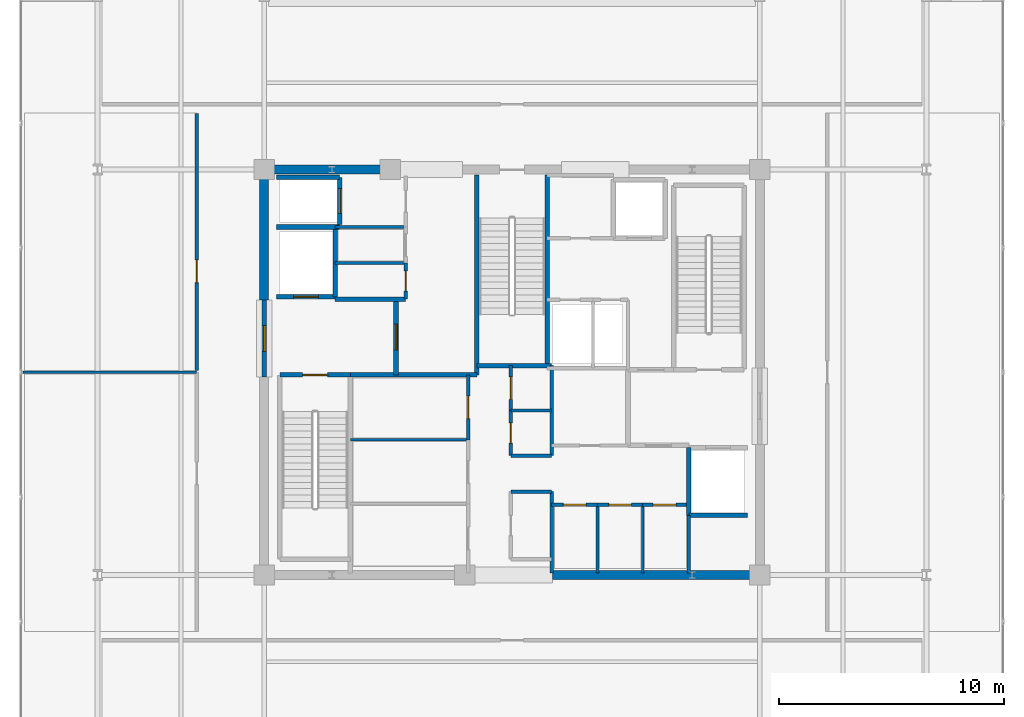
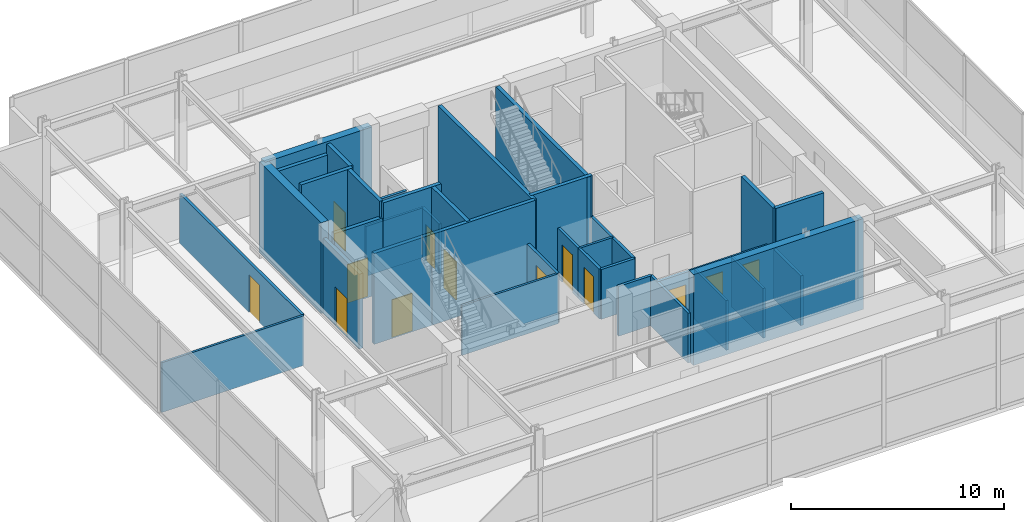
# One storey, part 18 of 24: 38 walls, 13 doors, 13 openings.
"""IFC4 building model written with IfcOpenShell, lengths in metres."""

from ifc_helpers import new_model, si_unit, direction, frame, frame_2d, origin, place, context, subcontext, project, spatial, rectangle, extrude, material, layer, layer_set, type_object, element, fill, save


model = new_model("IFC4")

# Units and contexts
model_context = context("Model", 3, precision=1e-05, world=origin(), true_north=direction((0.0, 1.0)))
body_context = subcontext(model_context, "Body", "Model", "MODEL_VIEW")
ifc_project = project(units=[si_unit("LENGTHUNIT", "METRE"), si_unit("AREAUNIT", "SQUARE_METRE"), si_unit("VOLUMEUNIT", "CUBIC_METRE"), si_unit("PLANEANGLEUNIT", "RADIAN"), si_unit("MASSUNIT", "GRAM", prefix="KILO")], contexts=[model_context])

# Site, building, storey
site_placement = place(None, origin())
site = spatial("IfcSite", under=ifc_project, at=site_placement, CompositionType="ELEMENT")
building_placement = place(site_placement, origin())
building = spatial("IfcBuilding", under=site, at=building_placement, Name="Kovane Verandah Tower", CompositionType="ELEMENT")
storey_placement = place(building_placement, frame((0.0, 0.0, 348.800048828125)))
storey = spatial("IfcBuildingStorey", under=building, at=storey_placement, Name="L81", CompositionType="ELEMENT", Elevation=348.800048828125)

# Walls
ifc_material_1 = material(Name="Fire-Rated Gypsum Stud Partition", Category="gypsum")
ifc_layer_1 = layer(ifc_material_1, 0.14990234375)
ifc_layer_set_1 = layer_set([ifc_layer_1], Name="Fire-Rated Gypsum Stud Partition")
wall_type_1 = type_object("IfcWallType", Name="WL-COR-150", PredefinedType="PARTITIONING", material=ifc_layer_set_1)
for number, where, z_axis, x_axis, name in (
    (1, (39.949951171875, 22.199951171875, 0.0), (0.0, 0.0, 1.0), (1.0, 0.0, 0.0), "L81 Core Cross-Passage South Wall"),
    (2, (39.949951171875, 23.800048828125, 0.0), (0.0, 0.0, 1.0), (1.0, 0.0, 0.0), "L81 Core Cross-Passage North Wall"),
):
    element("IfcWall", number, at=place(storey_placement, frame(where, z_axis=z_axis, x_axis=x_axis)), inside=storey, type_object=wall_type_1, Name=name, PredefinedType="PARTITIONING", context=body_context, shape_type="SweptSolid", body=[
        extrude(rectangle(XDim=1.81005859375, YDim=0.14990234375, at=frame_2d((0.905029296875, 0.0))), origin(), (0.0, 0.0, 1.0), 2.849853515625),
    ])
wall_1_placement = place(storey_placement, frame((41.760009765625, 18.60009765625, 0.0), z_axis=(0.0, 0.0, 1.0), x_axis=(0.0, 1.0, 0.0)))
element("IfcWall", 3, at=wall_1_placement, inside=storey, type_object=wall_type_1, Name="L81 Central Core Strip Lower East Wall", PredefinedType="PARTITIONING", context=body_context, shape_type="SweptSolid", body=[
    extrude(rectangle(XDim=3.599853515625, YDim=0.14990234375, at=frame_2d((1.7998046875, 0.0))), origin(), (0.0, 0.0, 1.0), 2.849853515625),
])
wall_2_placement = place(storey_placement, frame((41.760009765625, 23.800048828125, 0.0), z_axis=(0.0, 0.0, 1.0), x_axis=(0.0, 1.0, 0.0)))
element("IfcWall", 4, at=wall_2_placement, inside=storey, type_object=wall_type_1, Name="L81 Central Core Strip Upper East Wall", PredefinedType="PARTITIONING", context=body_context, shape_type="SweptSolid", body=[
    extrude(rectangle(XDim=4.0, YDim=0.14990234375, at=frame_2d((2.0, 0.0))), origin(), (0.0, 0.0, 1.0), 2.849853515625),
])

# Wall, opening, door
wall_3_placement = place(storey_placement, frame((39.949951171875, 23.800048828125, 0.0), z_axis=(0.0, 0.0, 1.0), x_axis=(0.0, 1.0, 0.0)))
wall_3 = element("IfcWall", 5, at=wall_3_placement, inside=storey, type_object=wall_type_1, Name="L81 Female Toilet Partition", PredefinedType="PARTITIONING", context=body_context, shape_type="SweptSolid", body=[
    extrude(rectangle(XDim=2.0, YDim=0.14990234375, at=frame_2d((1.0, 0.0))), origin(), (0.0, 0.0, 1.0), 2.849853515625),
])
opening_1_placement = place(wall_3_placement, frame((0.550048828125, 0.0, 0.0)))
opening_1 = element("IfcOpeningElement", 6, at=opening_1_placement, cuts=wall_3, Name="Opening DR-L81-028", PredefinedType="OPENING", context=body_context, shape_type="SweptSolid", body=[
    extrude(rectangle(XDim=0.89990234375, YDim=2.10009765625, at=frame_2d((0.449951171875, 1.050048828125))), frame((0.0, 0.074951171875, 0.0), z_axis=(0.0, -1.0, 0.0), x_axis=(1.0, 0.0, 0.0)), (0.0, 0.0, 1.0), 0.14990234375),
])
ifc_material_2 = material(Name="Moisture-Resistant Laminate Washroom Door", Category="wood")
door_type_1 = type_object("IfcDoorType", Name="DR-WC-900", OperationType="SINGLE_SWING_LEFT", PredefinedType="DOOR", material=ifc_material_2)
door_1_placement = place(opening_1_placement, origin())
door_1 = element("IfcDoor", 7, at=door_1_placement, inside=storey, type_object=door_type_1, Name="L81 Female Toilet Door", OperationType="SINGLE_SWING_RIGHT", OverallHeight=2.10009765625, OverallWidth=0.89990234375, PredefinedType="DOOR", context=body_context, shape_type="SweptSolid", body=[
    extrude(rectangle(XDim=0.89990234375, YDim=2.10009765625, at=frame_2d((0.449951171875, 1.050048828125))), frame((0.0, 0.02490234375, 0.0), z_axis=(0.0, -1.0, 0.0), x_axis=(1.0, 0.0, 0.0)), (0.0, 0.0, 1.0), 0.050048828125),
])
fill(opening_1, door_1)

wall_4_placement = place(storey_placement, frame((39.949951171875, 25.800048828125, 0.0), z_axis=(0.0, 0.0, 1.0), x_axis=(0.0, 1.0, 0.0)))
wall_4 = element("IfcWall", 8, at=wall_4_placement, inside=storey, type_object=wall_type_1, Name="L81 Central First Aid and Wellness Room Partition", PredefinedType="PARTITIONING", context=body_context, shape_type="SweptSolid", body=[
    extrude(rectangle(XDim=2.0, YDim=0.14990234375, at=frame_2d((1.0, 0.0))), origin(), (0.0, 0.0, 1.0), 2.849853515625),
])
opening_2_placement = place(wall_4_placement, frame((0.5, 0.0, 0.0)))
opening_2 = element("IfcOpeningElement", 9, at=opening_2_placement, cuts=wall_4, Name="Opening DR-L81-026", PredefinedType="OPENING", context=body_context, shape_type="SweptSolid", body=[
    extrude(rectangle(XDim=1.0, YDim=2.14990234375, at=frame_2d((0.5, 1.074951171875))), frame((0.0, 0.074951171875, 0.0), z_axis=(0.0, -1.0, 0.0), x_axis=(1.0, 0.0, 0.0)), (0.0, 0.0, 1.0), 0.14990234375),
])
ifc_material_3 = material(Name="FSC Spotted-Gum Timber Fire-Rated Office Door", Category="wood")
door_type_2 = type_object("IfcDoorType", Name="DR-OFF-1000", OperationType="SINGLE_SWING_LEFT", PredefinedType="DOOR", material=ifc_material_3)
door_2_placement = place(opening_2_placement, origin())
door_2 = element("IfcDoor", 10, at=door_2_placement, inside=storey, type_object=door_type_2, Name="L81 Central First Aid and Wellness Room Door", OperationType="SINGLE_SWING_LEFT", OverallHeight=2.14990234375, OverallWidth=1.0, PredefinedType="DOOR", context=body_context, shape_type="SweptSolid", body=[
    extrude(rectangle(XDim=1.0, YDim=2.14990234375, at=frame_2d((0.5, 1.074951171875))), frame((0.0, 0.02490234375, 0.0), z_axis=(0.0, -1.0, 0.0), x_axis=(1.0, 0.0, 0.0)), (0.0, 0.0, 1.0), 0.050048828125),
])
fill(opening_2, door_2)

# Wall
wall_5_placement = place(storey_placement, frame((32.14990234375, 33.949951171875, 0.0), z_axis=(0.0, 0.0, 1.0), x_axis=(1.0, 0.0, 0.0)))
element("IfcWall", 11, at=wall_5_placement, inside=storey, type_object=wall_type_1, Name="L81 Goods Lift Lobby South Wall", PredefinedType="PARTITIONING", context=body_context, shape_type="SweptSolid", body=[
    extrude(rectangle(XDim=3.130126953125, YDim=0.14990234375, at=frame_2d((1.56494140625, 0.0))), origin(), (0.0, 0.0, 1.0), 2.849853515625),
])

# Wall, opening, door
wall_6_placement = place(storey_placement, frame((35.280029296875, 30.75, 0.0), z_axis=(0.0, 0.0, 1.0), x_axis=(0.0, 1.0, 0.0)))
wall_6 = element("IfcWall", 12, at=wall_6_placement, inside=storey, type_object=wall_type_1, Name="L81 Accessible Unisex Toilet Partition", PredefinedType="PARTITIONING", context=body_context, shape_type="SweptSolid", body=[
    extrude(rectangle(XDim=1.60009765625, YDim=0.14990234375, at=frame_2d((0.800048828125, 0.0))), origin(), (0.0, 0.0, 1.0), 2.849853515625),
])
opening_3_placement = place(wall_6_placement, frame((0.35009765625, 0.0, 0.0)))
opening_3 = element("IfcOpeningElement", 13, at=opening_3_placement, cuts=wall_6, Name="Opening DR-L81-027", PredefinedType="OPENING", context=body_context, shape_type="SweptSolid", body=[
    extrude(rectangle(XDim=0.89990234375, YDim=2.10009765625, at=frame_2d((0.449951171875, 1.050048828125))), frame((0.0, 0.074951171875, 0.0), z_axis=(0.0, -1.0, 0.0), x_axis=(1.0, 0.0, 0.0)), (0.0, 0.0, 1.0), 0.14990234375),
])
door_3_placement = place(opening_3_placement, origin())
door_3 = element("IfcDoor", 14, at=door_3_placement, inside=storey, type_object=door_type_1, Name="L81 Accessible Unisex Toilet Door", OperationType="SINGLE_SWING_LEFT", OverallHeight=2.10009765625, OverallWidth=0.89990234375, PredefinedType="DOOR", context=body_context, shape_type="SweptSolid", body=[
    extrude(rectangle(XDim=0.89990234375, YDim=2.10009765625, at=frame_2d((0.449951171875, 1.050048828125))), frame((0.0, 0.02490234375, 0.0), z_axis=(0.0, -1.0, 0.0), x_axis=(1.0, 0.0, 0.0)), (0.0, 0.0, 1.0), 0.050048828125),
])
fill(opening_3, door_3)

wall_7_placement = place(storey_placement, frame((38.050048828125, 24.5, 0.0), z_axis=(0.0, 0.0, 1.0), x_axis=(0.0, 1.0, 0.0)))
wall_7 = element("IfcWall", 15, at=wall_7_placement, inside=storey, type_object=wall_type_1, Name="L81 Tea and Copy Hub Partition", PredefinedType="PARTITIONING", context=body_context, shape_type="SweptSolid", body=[
    extrude(rectangle(XDim=2.8798828125, YDim=0.14990234375, at=frame_2d((1.43994140625, 0.0))), origin(), (0.0, 0.0, 1.0), 2.849853515625),
])
opening_4_placement = place(wall_7_placement, frame((0.93994140625, 0.0, 0.0)))
opening_4 = element("IfcOpeningElement", 16, at=opening_4_placement, cuts=wall_7, Name="Opening DR-L81-015", PredefinedType="OPENING", context=body_context, shape_type="SweptSolid", body=[
    extrude(rectangle(XDim=1.0, YDim=2.14990234375, at=frame_2d((0.5, 1.074951171875))), frame((0.0, 0.074951171875, 0.0), z_axis=(0.0, -1.0, 0.0), x_axis=(1.0, 0.0, 0.0)), (0.0, 0.0, 1.0), 0.14990234375),
])
door_4_placement = place(opening_4_placement, origin())
door_4 = element("IfcDoor", 17, at=door_4_placement, inside=storey, type_object=door_type_2, Name="L81 Tea and Copy Hub Door", OperationType="SINGLE_SWING_LEFT", OverallHeight=2.14990234375, OverallWidth=1.0, PredefinedType="DOOR", context=body_context, shape_type="SweptSolid", body=[
    extrude(rectangle(XDim=1.0, YDim=2.14990234375, at=frame_2d((0.5, 1.074951171875))), frame((0.0, 0.02490234375, 0.0), z_axis=(0.0, -1.0, 0.0), x_axis=(1.0, 0.0, 0.0)), (0.0, 0.0, 1.0), 0.050048828125),
])
fill(opening_4, door_4)

# Wall
wall_8_placement = place(storey_placement, frame((47.85009765625, 18.60009765625, 0.0), z_axis=(0.0, 0.0, 1.0), x_axis=(0.0, 1.0, 0.0)))
element("IfcWall", 18, at=wall_8_placement, inside=storey, type_object=wall_type_1, Name="L81 East Core Support East Wall", PredefinedType="PARTITIONING", context=body_context, shape_type="SweptSolid", body=[
    extrude(rectangle(XDim=2.539794921875, YDim=0.14990234375, at=frame_2d((1.27001953125, 0.0))), origin(), (0.0, 0.0, 1.0), 2.849853515625),
])

# Wall, opening, door
wall_9_placement = place(storey_placement, frame((41.760009765625, 21.6201171875, 0.0), z_axis=(0.0, 0.0, 1.0), x_axis=(1.0, 0.0, 0.0)))
wall_9 = element("IfcWall", 19, at=wall_9_placement, inside=storey, type_object=wall_type_1, Name="L81 Mail and Copy Room Partition", PredefinedType="PARTITIONING", context=body_context, shape_type="SweptSolid", body=[
    extrude(rectangle(XDim=2.0400390625, YDim=0.14990234375, at=frame_2d((1.02001953125, 0.0))), origin(), (0.0, 0.0, 1.0), 2.849853515625),
])
opening_5_placement = place(wall_9_placement, frame((0.52001953125, 0.0, 0.0)))
opening_5 = element("IfcOpeningElement", 20, at=opening_5_placement, cuts=wall_9, Name="Opening DR-L81-016", PredefinedType="OPENING", context=body_context, shape_type="SweptSolid", body=[
    extrude(rectangle(XDim=1.0, YDim=2.14990234375, at=frame_2d((0.5, 1.074951171875))), frame((0.0, 0.074951171875, 0.0), z_axis=(0.0, -1.0, 0.0), x_axis=(1.0, 0.0, 0.0)), (0.0, 0.0, 1.0), 0.14990234375),
])
door_5_placement = place(opening_5_placement, origin())
door_5 = element("IfcDoor", 21, at=door_5_placement, inside=storey, type_object=door_type_2, Name="L81 Mail and Copy Room Door", OperationType="SINGLE_SWING_RIGHT", OverallHeight=2.14990234375, OverallWidth=1.0, PredefinedType="DOOR", context=body_context, shape_type="SweptSolid", body=[
    extrude(rectangle(XDim=1.0, YDim=2.14990234375, at=frame_2d((0.5, 1.074951171875))), frame((0.0, 0.02490234375, 0.0), z_axis=(0.0, -1.0, 0.0), x_axis=(1.0, 0.0, 0.0)), (0.0, 0.0, 1.0), 0.050048828125),
])
fill(opening_5, door_5)

wall_10_placement = place(storey_placement, frame((43.800048828125, 21.6201171875, 0.0), z_axis=(0.0, 0.0, 1.0), x_axis=(1.0, 0.0, 0.0)))
wall_10 = element("IfcWall", 22, at=wall_10_placement, inside=storey, type_object=wall_type_1, Name="L81 First Aid Room Partition", PredefinedType="PARTITIONING", context=body_context, shape_type="SweptSolid", body=[
    extrude(rectangle(XDim=2.0, YDim=0.14990234375, at=frame_2d((1.0, 0.0))), origin(), (0.0, 0.0, 1.0), 2.849853515625),
])
opening_6_placement = place(wall_10_placement, frame((0.5, 0.0, 0.0)))
opening_6 = element("IfcOpeningElement", 23, at=opening_6_placement, cuts=wall_10, Name="Opening DR-L81-017", PredefinedType="OPENING", context=body_context, shape_type="SweptSolid", body=[
    extrude(rectangle(XDim=1.0, YDim=2.14990234375, at=frame_2d((0.5, 1.074951171875))), frame((0.0, 0.074951171875, 0.0), z_axis=(0.0, -1.0, 0.0), x_axis=(1.0, 0.0, 0.0)), (0.0, 0.0, 1.0), 0.14990234375),
])
door_6_placement = place(opening_6_placement, origin())
door_6 = element("IfcDoor", 24, at=door_6_placement, inside=storey, type_object=door_type_2, Name="L81 First Aid Room Door", OperationType="SINGLE_SWING_LEFT", OverallHeight=2.14990234375, OverallWidth=1.0, PredefinedType="DOOR", context=body_context, shape_type="SweptSolid", body=[
    extrude(rectangle(XDim=1.0, YDim=2.14990234375, at=frame_2d((0.5, 1.074951171875))), frame((0.0, 0.02490234375, 0.0), z_axis=(0.0, -1.0, 0.0), x_axis=(1.0, 0.0, 0.0)), (0.0, 0.0, 1.0), 0.050048828125),
])
fill(opening_6, door_6)

wall_11_placement = place(storey_placement, frame((45.800048828125, 21.6201171875, 0.0), z_axis=(0.0, 0.0, 1.0), x_axis=(1.0, 0.0, 0.0)))
wall_11 = element("IfcWall", 25, at=wall_11_placement, inside=storey, type_object=wall_type_1, Name="L81 Quiet Wellness Room Partition", PredefinedType="PARTITIONING", context=body_context, shape_type="SweptSolid", body=[
    extrude(rectangle(XDim=1.93994140625, YDim=0.14990234375, at=frame_2d((0.969970703125, 0.0))), origin(), (0.0, 0.0, 1.0), 2.849853515625),
])
opening_7_placement = place(wall_11_placement, frame((0.469970703125, 0.0, 0.0)))
opening_7 = element("IfcOpeningElement", 26, at=opening_7_placement, cuts=wall_11, Name="Opening DR-L81-018", PredefinedType="OPENING", context=body_context, shape_type="SweptSolid", body=[
    extrude(rectangle(XDim=1.0, YDim=2.14990234375, at=frame_2d((0.5, 1.074951171875))), frame((0.0, 0.074951171875, 0.0), z_axis=(0.0, -1.0, 0.0), x_axis=(1.0, 0.0, 0.0)), (0.0, 0.0, 1.0), 0.14990234375),
])
door_7_placement = place(opening_7_placement, origin())
door_7 = element("IfcDoor", 27, at=door_7_placement, inside=storey, type_object=door_type_2, Name="L81 Quiet Wellness Room Door", OperationType="SINGLE_SWING_RIGHT", OverallHeight=2.14990234375, OverallWidth=1.0, PredefinedType="DOOR", context=body_context, shape_type="SweptSolid", body=[
    extrude(rectangle(XDim=1.0, YDim=2.14990234375, at=frame_2d((0.5, 1.074951171875))), frame((0.0, 0.02490234375, 0.0), z_axis=(0.0, -1.0, 0.0), x_axis=(1.0, 0.0, 0.0)), (0.0, 0.0, 1.0), 0.050048828125),
])
fill(opening_7, door_7)

wall_12_placement = place(storey_placement, frame((26.0, 27.570068359375, 0.0), z_axis=(0.0, 0.0, 1.0), x_axis=(0.0, 1.0, 0.0)))
wall_12 = element("IfcWall", 28, at=wall_12_placement, inside=storey, type_object=wall_type_1, Name="L81 Skyline Exhibition Gallery Corridor Partition", PredefinedType="PARTITIONING", context=body_context, shape_type="SweptSolid", body=[
    extrude(rectangle(XDim=11.429931640625, YDim=0.14990234375, at=frame_2d((5.71484375, 0.0))), origin(), (0.0, 0.0, 1.0), 2.849853515625),
])
opening_8_placement = place(wall_12_placement, frame((3.9150390625, 0.0, 0.0)))
opening_8 = element("IfcOpeningElement", 29, at=opening_8_placement, cuts=wall_12, Name="Opening DR-L81-012", PredefinedType="OPENING", context=body_context, shape_type="SweptSolid", body=[
    extrude(rectangle(XDim=1.0, YDim=2.14990234375, at=frame_2d((0.5, 1.074951171875))), frame((0.0, 0.074951171875, 0.0), z_axis=(0.0, -1.0, 0.0), x_axis=(1.0, 0.0, 0.0)), (0.0, 0.0, 1.0), 0.14990234375),
])
door_8_placement = place(opening_8_placement, origin())
door_8 = element("IfcDoor", 30, at=door_8_placement, inside=storey, type_object=door_type_2, Name="L81 Skyline Exhibition Gallery Entrance Door", OperationType="SINGLE_SWING_RIGHT", OverallHeight=2.14990234375, OverallWidth=1.0, PredefinedType="DOOR", context=body_context, shape_type="SweptSolid", body=[
    extrude(rectangle(XDim=1.0, YDim=2.14990234375, at=frame_2d((0.5, 1.074951171875))), frame((0.0, 0.02490234375, 0.0), z_axis=(0.0, -1.0, 0.0), x_axis=(1.0, 0.0, 0.0)), (0.0, 0.0, 1.0), 0.050048828125),
])
fill(opening_8, door_8)

# Walls
ifc_material_4 = material(Name="Concrete C60/75", Category="concrete")
ifc_layer_2 = layer(ifc_material_4, 0.39990234375)
ifc_layer_set_2 = layer_set([ifc_layer_2], Name="Concrete C60/75")
wall_type_2 = type_object("IfcWallType", Name="WL-CORE-400", PredefinedType="SHEAR", material=ifc_layer_set_2)
wall_13_placement = place(storey_placement, frame((41.800048828125, 18.5, 0.0), z_axis=(0.0, 0.0, 1.0), x_axis=(1.0, 0.0, 0.0)))
element("IfcWall", 31, at=wall_13_placement, inside=storey, type_object=wall_type_2, Name="L81 Core Shear Wall CS-2", PredefinedType="SHEAR", context=body_context, shape_type="SweptSolid", body=[
    extrude(rectangle(XDim=9.199951171875, YDim=0.39990234375, at=frame_2d((4.60009765625, 0.0))), origin(), (0.0, 0.0, 1.0), 5.199951171875),
])
for number, where, z_axis, x_axis, name in (
    (32, (29.0, 36.5, 0.0), (0.0, 0.0, 1.0), (1.0, 0.0, 0.0), "L81 Core Shear Wall CN-1"),
    (33, (29.0, 30.699951171875, 0.0), (0.0, 0.0, 1.0), (0.0, 1.0, 0.0), "L81 Core Shear Wall CW-2"),
):
    element("IfcWall", number, at=place(storey_placement, frame(where, z_axis=z_axis, x_axis=x_axis)), inside=storey, type_object=wall_type_2, Name=name, PredefinedType="SHEAR", context=body_context, shape_type="SweptSolid", body=[
        extrude(rectangle(XDim=5.800048828125, YDim=0.39990234375, at=frame_2d((2.89990234375, 0.0))), origin(), (0.0, 0.0, 1.0), 5.199951171875),
    ])

# Wall, opening, door
ifc_material_5 = material(Name="Concrete C45/55 Fire Wall", Category="concrete")
ifc_layer_3 = layer(ifc_material_5, 0.199951171875)
ifc_layer_set_3 = layer_set([ifc_layer_3], Name="Concrete C45/55 Fire Wall")
wall_type_3 = type_object("IfcWallType", Name="WL-FFL-200", PredefinedType="PARTITIONING", material=ifc_layer_set_3)
wall_14_placement = place(storey_placement, frame((34.85009765625, 27.3798828125, 0.0), z_axis=(0.0, 0.0, 1.0), x_axis=(0.0, 1.0, 0.0)))
wall_14 = element("IfcWall", 34, at=wall_14_placement, inside=storey, type_object=wall_type_3, Name="W-L81-FFLW-E", PredefinedType="PARTITIONING", context=body_context, shape_type="SweptSolid", body=[
    extrude(rectangle(XDim=3.3701171875, YDim=0.199951171875, at=frame_2d((1.68505859375, 0.0))), origin(), (0.0, 0.0, 1.0), 5.199951171875),
])
opening_9_placement = place(wall_14_placement, frame((1.110107421875, 0.0, 0.0)))
opening_9 = element("IfcOpeningElement", 35, at=opening_9_placement, cuts=wall_14, Name="Opening DR-L81-004", PredefinedType="OPENING", context=body_context, shape_type="SweptSolid", body=[
    extrude(rectangle(XDim=1.14990234375, YDim=2.199951171875, at=frame_2d((0.574951171875, 1.10009765625))), frame((0.0, 0.10009765625, 0.0), z_axis=(0.0, -1.0, 0.0), x_axis=(1.0, 0.0, 0.0)), (0.0, 0.0, 1.0), 0.199951171875),
])
ifc_material_6 = material(Name="Smoke-Sealed Firefighting Lobby Door", Category="steel")
door_type_3 = type_object("IfcDoorType", Name="DR-FFL-1150", OperationType="SINGLE_SWING_LEFT", PredefinedType="DOOR", material=ifc_material_6)
door_9_placement = place(opening_9_placement, origin())
door_9 = element("IfcDoor", 36, at=door_9_placement, inside=storey, type_object=door_type_3, Name="L81 West Firefighting Lobby Inner Door", OperationType="SINGLE_SWING_LEFT", OverallHeight=2.199951171875, OverallWidth=1.14990234375, PredefinedType="DOOR", context=body_context, shape_type="SweptSolid", body=[
    extrude(rectangle(XDim=1.14990234375, YDim=2.199951171875, at=frame_2d((0.574951171875, 1.10009765625))), frame((0.0, 0.02490234375, 0.0), z_axis=(0.0, -1.0, 0.0), x_axis=(1.0, 0.0, 0.0)), (0.0, 0.0, 1.0), 0.050048828125),
])
fill(opening_9, door_9)

wall_15_placement = place(storey_placement, frame((29.0, 27.300048828125, 0.0), z_axis=(0.0, 0.0, 1.0), x_axis=(0.0, 1.0, 0.0)))
wall_15 = element("IfcWall", 37, at=wall_15_placement, inside=storey, type_object=wall_type_3, Name="W-L81-FFLW-OUT", PredefinedType="PARTITIONING", context=body_context, shape_type="SweptSolid", body=[
    extrude(rectangle(XDim=3.39990234375, YDim=0.199951171875, at=frame_2d((1.699951171875, 0.0))), origin(), (0.0, 0.0, 1.0), 4.280029296875),
])
opening_10_placement = place(wall_15_placement, frame((1.125, 0.0, 0.0)))
opening_10 = element("IfcOpeningElement", 38, at=opening_10_placement, cuts=wall_15, Name="Opening DR-L81-005", PredefinedType="OPENING", context=body_context, shape_type="SweptSolid", body=[
    extrude(rectangle(XDim=1.14990234375, YDim=2.199951171875, at=frame_2d((0.574951171875, 1.10009765625))), frame((0.0, 0.10009765625, 0.0), z_axis=(0.0, -1.0, 0.0), x_axis=(1.0, 0.0, 0.0)), (0.0, 0.0, 1.0), 0.199951171875),
])
door_10_placement = place(opening_10_placement, origin())
door_10 = element("IfcDoor", 39, at=door_10_placement, inside=storey, type_object=door_type_3, Name="L81 West Firefighting Lobby Corridor Door", OperationType="SINGLE_SWING_RIGHT", OverallHeight=2.199951171875, OverallWidth=1.14990234375, PredefinedType="DOOR", context=body_context, shape_type="SweptSolid", body=[
    extrude(rectangle(XDim=1.14990234375, YDim=2.199951171875, at=frame_2d((0.574951171875, 1.10009765625))), frame((0.0, 0.02490234375, 0.0), z_axis=(0.0, -1.0, 0.0), x_axis=(1.0, 0.0, 0.0)), (0.0, 0.0, 1.0), 0.050048828125),
])
fill(opening_10, door_10)

# Walls
wall_16_placement = place(storey_placement, frame((32.820068359375, 27.3798828125, 0.0), z_axis=(0.0, 0.0, 1.0), x_axis=(1.0, 0.0, 0.0)))
element("IfcWall", 40, at=wall_16_placement, inside=storey, type_object=wall_type_3, Name="L81 West Firefighting Lobby South Fire Wall", PredefinedType="PARTITIONING", context=body_context, shape_type="SweptSolid", body=[
    extrude(rectangle(XDim=5.619873046875, YDim=0.199951171875, at=frame_2d((2.81005859375, 0.0))), origin(), (0.0, 0.0, 1.0), 5.199951171875),
])
wall_17_placement = place(storey_placement, frame((32.14990234375, 30.75, 0.0), z_axis=(0.0, 0.0, 1.0), x_axis=(1.0, 0.0, 0.0)))
element("IfcWall", 41, at=wall_17_placement, inside=storey, type_object=wall_type_3, Name="L81 West Firefighting Lobby North Fire Wall", PredefinedType="PARTITIONING", context=body_context, shape_type="SweptSolid", body=[
    extrude(rectangle(XDim=3.130126953125, YDim=0.199951171875, at=frame_2d((1.56494140625, 0.0))), origin(), (0.0, 0.0, 1.0), 5.199951171875),
])

# Wall, opening, door
ifc_material_7 = material(Name="Concrete C45/55 Lift Shaft Wall", Category="concrete")
ifc_layer_4 = layer(ifc_material_7, 0.199951171875)
ifc_layer_set_4 = layer_set([ifc_layer_4], Name="Concrete C45/55 Lift Shaft Wall")
wall_type_4 = type_object("IfcWallType", Name="WL-LIFT-200", PredefinedType="SOLIDWALL", material=ifc_layer_set_4)
wall_18_placement = place(storey_placement, frame((29.550048828125, 30.85009765625, 0.0), z_axis=(0.0, 0.0, 1.0), x_axis=(1.0, 0.0, 0.0)))
wall_18 = element("IfcWall", 42, at=wall_18_placement, inside=storey, type_object=wall_type_4, Name="L81 Lift FL-01 S Shaft Wall", PredefinedType="SOLIDWALL", context=body_context, shape_type="SweptSolid", body=[
    extrude(rectangle(XDim=2.599853515625, YDim=0.199951171875, at=frame_2d((1.2998046875, 0.0))), origin(), (0.0, 0.0, 1.0), 4.280029296875),
])
opening_11_placement = place(wall_18_placement, frame((0.75, 0.0, 0.0)))
opening_11 = element("IfcOpeningElement", 43, at=opening_11_placement, cuts=wall_18, Name="Opening LD-L81-001", PredefinedType="OPENING", context=body_context, shape_type="SweptSolid", body=[
    extrude(rectangle(XDim=1.10009765625, YDim=2.199951171875, at=frame_2d((0.550048828125, 1.10009765625))), frame((0.0, 0.10009765625, 0.0), z_axis=(0.0, -1.0, 0.0), x_axis=(1.0, 0.0, 0.0)), (0.0, 0.0, 1.0), 0.199951171875),
])
ifc_material_8 = material(Name="Brushed Stainless Steel Sliding Lift Landing Door", Category="steel")
door_type_4 = type_object("IfcDoorType", Name="DR-LIFT-1100", OperationType="SLIDING_TO_RIGHT", PredefinedType="DOOR", material=ifc_material_8)
door_11_placement = place(opening_11_placement, origin())
door_11 = element("IfcDoor", 44, at=door_11_placement, inside=storey, type_object=door_type_4, Name="L81 Lift FL-01 Sliding Landing Door", OperationType="SLIDING_TO_RIGHT", OverallHeight=2.199951171875, OverallWidth=1.10009765625, PredefinedType="DOOR", context=body_context, shape_type="SweptSolid", body=[
    extrude(rectangle(XDim=1.10009765625, YDim=2.199951171875, at=frame_2d((0.550048828125, 1.10009765625))), frame((0.0, 0.02490234375, 0.0), z_axis=(0.0, -1.0, 0.0), x_axis=(1.0, 0.0, 0.0)), (0.0, 0.0, 1.0), 0.050048828125),
])
fill(opening_11, door_11)

# Walls
wall_19_placement = place(storey_placement, frame((29.550048828125, 33.949951171875, 0.0), z_axis=(0.0, 0.0, 1.0), x_axis=(1.0, 0.0, 0.0)))
element("IfcWall", 45, at=wall_19_placement, inside=storey, type_object=wall_type_4, Name="L81 Lift FL-01 and GL-01 Shared Shaft Wall", PredefinedType="SOLIDWALL", context=body_context, shape_type="SweptSolid", body=[
    extrude(rectangle(XDim=2.800048828125, YDim=0.199951171875, at=frame_2d((1.39990234375, 0.0))), origin(), (0.0, 0.0, 1.0), 5.199951171875),
])
wall_20_placement = place(storey_placement, frame((32.14990234375, 30.85009765625, 0.0), z_axis=(0.0, 0.0, 1.0), x_axis=(0.0, 1.0, 0.0)))
element("IfcWall", 46, at=wall_20_placement, inside=storey, type_object=wall_type_4, Name="L81 Lift FL-01 E Shaft Wall", PredefinedType="SOLIDWALL", context=body_context, shape_type="SweptSolid", body=[
    extrude(rectangle(XDim=3.0, YDim=0.199951171875, at=frame_2d((1.5, 0.0))), origin(), (0.0, 0.0, 1.0), 5.199951171875),
])
wall_21_placement = place(storey_placement, frame((47.85009765625, 21.14990234375, 0.0), z_axis=(0.0, 0.0, 1.0), x_axis=(1.0, 0.0, 0.0)))
element("IfcWall", 47, at=wall_21_placement, inside=storey, type_object=wall_type_4, Name="L81 Lift FL-02 S Shaft Wall", PredefinedType="SOLIDWALL", context=body_context, shape_type="SweptSolid", body=[
    extrude(rectangle(XDim=2.599853515625, YDim=0.199951171875, at=frame_2d((1.2998046875, 0.0))), origin(), (0.0, 0.0, 1.0), 5.199951171875),
])
wall_22_placement = place(storey_placement, frame((47.85009765625, 24.14990234375, 0.0), z_axis=(0.0, 0.0, 1.0), x_axis=(0.0, -1.0, 0.0)))
element("IfcWall", 48, at=wall_22_placement, inside=storey, type_object=wall_type_4, Name="L81 Lift FL-02 W Shaft Wall", PredefinedType="SOLIDWALL", context=body_context, shape_type="SweptSolid", body=[
    extrude(rectangle(XDim=3.0, YDim=0.199951171875, at=frame_2d((1.5, 0.0))), origin(), (0.0, 0.0, 1.0), 5.199951171875),
])
wall_23_placement = place(storey_placement, frame((32.35009765625, 36.14990234375, 0.0), z_axis=(0.0, 0.0, 1.0), x_axis=(-1.0, 0.0, 0.0)))
element("IfcWall", 49, at=wall_23_placement, inside=storey, type_object=wall_type_4, Name="L81 Lift GL-01 N Shaft Wall", PredefinedType="SOLIDWALL", context=body_context, shape_type="SweptSolid", body=[
    extrude(rectangle(XDim=2.800048828125, YDim=0.199951171875, at=frame_2d((1.39990234375, 0.0))), origin(), (0.0, 0.0, 1.0), 4.635498046875),
])

# Wall, opening, door
wall_24_placement = place(storey_placement, frame((32.35009765625, 34.050048828125, 0.0), z_axis=(0.0, 0.0, 1.0), x_axis=(0.0, 1.0, 0.0)))
wall_24 = element("IfcWall", 50, at=wall_24_placement, inside=storey, type_object=wall_type_4, Name="L81 Lift GL-01 E Shaft Wall", PredefinedType="SOLIDWALL", context=body_context, shape_type="SweptSolid", body=[
    extrude(rectangle(XDim=2.099853515625, YDim=0.199951171875, at=frame_2d((1.0498046875, 0.0))), origin(), (0.0, 0.0, 1.0), 5.199951171875),
])
opening_12_placement = place(wall_24_placement, frame((0.5, 0.0, 0.0)))
opening_12 = element("IfcOpeningElement", 51, at=opening_12_placement, cuts=wall_24, Name="Opening LD-L81-003", PredefinedType="OPENING", context=body_context, shape_type="SweptSolid", body=[
    extrude(rectangle(XDim=1.10009765625, YDim=2.199951171875, at=frame_2d((0.550048828125, 1.10009765625))), frame((0.0, 0.10009765625, 0.0), z_axis=(0.0, -1.0, 0.0), x_axis=(1.0, 0.0, 0.0)), (0.0, 0.0, 1.0), 0.199951171875),
])
door_12_placement = place(opening_12_placement, origin())
door_12 = element("IfcDoor", 52, at=door_12_placement, inside=storey, type_object=door_type_4, Name="L81 Lift GL-01 Sliding Landing Door", OperationType="SLIDING_TO_RIGHT", OverallHeight=2.199951171875, OverallWidth=1.10009765625, PredefinedType="DOOR", context=body_context, shape_type="SweptSolid", body=[
    extrude(rectangle(XDim=1.10009765625, YDim=2.199951171875, at=frame_2d((0.550048828125, 1.10009765625))), frame((0.0, 0.02490234375, 0.0), z_axis=(0.0, -1.0, 0.0), x_axis=(1.0, 0.0, 0.0)), (0.0, 0.0, 1.0), 0.050048828125),
])
fill(opening_12, door_12)

# Walls
ifc_material_9 = material(Name="Acoustic Fire-Rated Gypsum Partition", Category="gypsum")
ifc_layer_5 = layer(ifc_material_9, 0.1201171875)
ifc_layer_set_5 = layer_set([ifc_layer_5], Name="Acoustic Fire-Rated Gypsum Partition")
wall_type_5 = type_object("IfcWallType", Name="WL-PART-120", PredefinedType="PARTITIONING", material=ifc_layer_set_5)
wall_25_placement = place(storey_placement, frame((39.949951171875, 25.800048828125, 0.0), z_axis=(0.0, 0.0, 1.0), x_axis=(1.0, 0.0, 0.0)))
element("IfcWall", 53, at=wall_25_placement, inside=storey, type_object=wall_type_5, Name="L81 Central Core Strip Upper Dividing Partition", PredefinedType="PARTITIONING", context=body_context, shape_type="SweptSolid", body=[
    extrude(rectangle(XDim=1.81005859375, YDim=0.1201171875, at=frame_2d((0.905029296875, 0.0))), origin(), (0.0, 0.0, 1.0), 2.849853515625),
])
wall_26_placement = place(storey_placement, frame((32.14990234375, 32.35009765625, 0.0), z_axis=(0.0, 0.0, 1.0), x_axis=(1.0, 0.0, 0.0)))
element("IfcWall", 54, at=wall_26_placement, inside=storey, type_object=wall_type_5, Name="L81 Accessible Washroom and Support Dividing Partition", PredefinedType="PARTITIONING", context=body_context, shape_type="SweptSolid", body=[
    extrude(rectangle(XDim=3.130126953125, YDim=0.1201171875, at=frame_2d((1.56494140625, 0.0))), origin(), (0.0, 0.0, 1.0), 2.849853515625),
])
wall_27_placement = place(storey_placement, frame((32.820068359375, 24.5, 0.0), z_axis=(0.0, 0.0, 1.0), x_axis=(1.0, 0.0, 0.0)))
element("IfcWall", 55, at=wall_27_placement, inside=storey, type_object=wall_type_5, Name="L81 Core Support Upper Dividing Partition", PredefinedType="PARTITIONING", context=body_context, shape_type="SweptSolid", body=[
    extrude(rectangle(XDim=5.22998046875, YDim=0.1201171875, at=frame_2d((2.614990234375, 0.0))), origin(), (0.0, 0.0, 1.0), 2.849853515625),
])
for number, where, z_axis, x_axis, name in (
    (56, (43.800048828125, 18.60009765625, 0.0), (0.0, 0.0, 1.0), (0.0, 1.0, 0.0), "L81 East Core Support Dividing Partition 1"),
    (57, (45.800048828125, 18.60009765625, 0.0), (0.0, 0.0, 1.0), (0.0, 1.0, 0.0), "L81 East Core Support Dividing Partition 2"),
):
    element("IfcWall", number, at=place(storey_placement, frame(where, z_axis=z_axis, x_axis=x_axis)), inside=storey, type_object=wall_type_5, Name=name, PredefinedType="PARTITIONING", context=body_context, shape_type="SweptSolid", body=[
        extrude(rectangle(XDim=3.02001953125, YDim=0.1201171875, at=frame_2d((1.510009765625, 0.0))), origin(), (0.0, 0.0, 1.0), 2.849853515625),
    ])
wall_28_placement = place(storey_placement, frame((18.300048828125, 27.5, 0.0), z_axis=(0.0, 0.0, 1.0), x_axis=(1.0, 0.0, 0.0)))
element("IfcWall", 58, at=wall_28_placement, inside=storey, type_object=wall_type_5, Name="L81 Sky Harbour Cafe and Lounge Dividing Partition", PredefinedType="PARTITIONING", context=body_context, shape_type="SweptSolid", body=[
    extrude(rectangle(XDim=7.699951171875, YDim=0.1201171875, at=frame_2d((3.85009765625, 0.0))), origin(), (0.0, 0.0, 1.0), 2.849853515625),
])

# Wall, opening, door
ifc_material_10 = material(Name="Concrete C45/55", Category="concrete")
ifc_layer_6 = layer(ifc_material_10, 0.199951171875)
ifc_layer_set_6 = layer_set([ifc_layer_6], Name="Concrete C45/55")
wall_type_6 = type_object("IfcWallType", Name="WL-SHAFT-200", PredefinedType="SOLIDWALL", material=ifc_layer_set_6)
wall_29_placement = place(storey_placement, frame((29.699951171875, 27.3798828125, 0.0), z_axis=(0.0, 0.0, 1.0), x_axis=(1.0, 0.0, 0.0)))
wall_29 = element("IfcWall", 59, at=wall_29_placement, inside=storey, type_object=wall_type_6, Name="W-L81-ST01-N", PredefinedType="SOLIDWALL", context=body_context, shape_type="SweptSolid", body=[
    extrude(rectangle(XDim=3.1201171875, YDim=0.199951171875, at=frame_2d((1.56005859375, 0.0))), origin(), (0.0, 0.0, 1.0), 5.199951171875),
])
opening_13_placement = place(wall_29_placement, frame((1.010009765625, 0.0, 0.0)))
opening_13 = element("IfcOpeningElement", 60, at=opening_13_placement, cuts=wall_29, Name="Opening DR-L81-007", PredefinedType="OPENING", context=body_context, shape_type="SweptSolid", body=[
    extrude(rectangle(XDim=1.10009765625, YDim=2.14990234375, at=frame_2d((0.550048828125, 1.074951171875))), frame((0.0, 0.10009765625, 0.0), z_axis=(0.0, -1.0, 0.0), x_axis=(1.0, 0.0, 0.0)), (0.0, 0.0, 1.0), 0.199951171875),
])
ifc_material_11 = material(Name="Fire-Rated Steel Exit Door", Category="steel")
door_type_5 = type_object("IfcDoorType", Name="DR-STAIR-1100", OperationType="SINGLE_SWING_LEFT", PredefinedType="DOOR", material=ifc_material_11)
door_13_placement = place(opening_13_placement, origin())
door_13 = element("IfcDoor", 61, at=door_13_placement, inside=storey, type_object=door_type_5, Name="L81 ST-01 Fire Exit Stair Door", OperationType="SINGLE_SWING_RIGHT", OverallHeight=2.14990234375, OverallWidth=1.10009765625, PredefinedType="DOOR", context=body_context, shape_type="SweptSolid", body=[
    extrude(rectangle(XDim=1.10009765625, YDim=2.14990234375, at=frame_2d((0.550048828125, 1.074951171875))), frame((0.0, 0.02490234375, 0.0), z_axis=(0.0, -1.0, 0.0), x_axis=(1.0, 0.0, 0.0)), (0.0, 0.0, 1.0), 0.050048828125),
])
fill(opening_13, door_13)

# Walls
wall_30_placement = place(storey_placement, frame((38.43994140625, 27.3798828125, 0.0), z_axis=(0.0, 0.0, 1.0), x_axis=(0.0, 1.0, 0.0)))
element("IfcWall", 62, at=wall_30_placement, inside=storey, type_object=wall_type_6, Name="W-L81-ST03-W", PredefinedType="SOLIDWALL", context=body_context, shape_type="SweptSolid", body=[
    extrude(rectangle(XDim=8.8701171875, YDim=0.199951171875, at=frame_2d((4.43505859375, 0.0))), origin(), (0.0, 0.0, 1.0), 5.199951171875),
])
wall_31_placement = place(storey_placement, frame((41.56005859375, 27.679931640625, 0.0), z_axis=(0.0, 0.0, 1.0), x_axis=(0.0, 1.0, 0.0)))
element("IfcWall", 63, at=wall_31_placement, inside=storey, type_object=wall_type_6, Name="W-L81-ST03-E", PredefinedType="SOLIDWALL", context=body_context, shape_type="SweptSolid", body=[
    extrude(rectangle(XDim=8.570068359375, YDim=0.199951171875, at=frame_2d((4.28515625, 0.0))), origin(), (0.0, 0.0, 1.0), 5.199951171875),
])
wall_32_placement = place(storey_placement, frame((38.43994140625, 27.800048828125, 0.0), z_axis=(0.0, 0.0, 1.0), x_axis=(1.0, 0.0, 0.0)))
element("IfcWall", 64, at=wall_32_placement, inside=storey, type_object=wall_type_6, Name="W-L81-ST03-S", PredefinedType="SOLIDWALL", context=body_context, shape_type="SweptSolid", body=[
    extrude(rectangle(XDim=3.320068359375, YDim=0.199951171875, at=frame_2d((1.66015625, 0.0))), origin(), (0.0, 0.0, 1.0), 5.199951171875),
])

save(model, "model.ifc")
